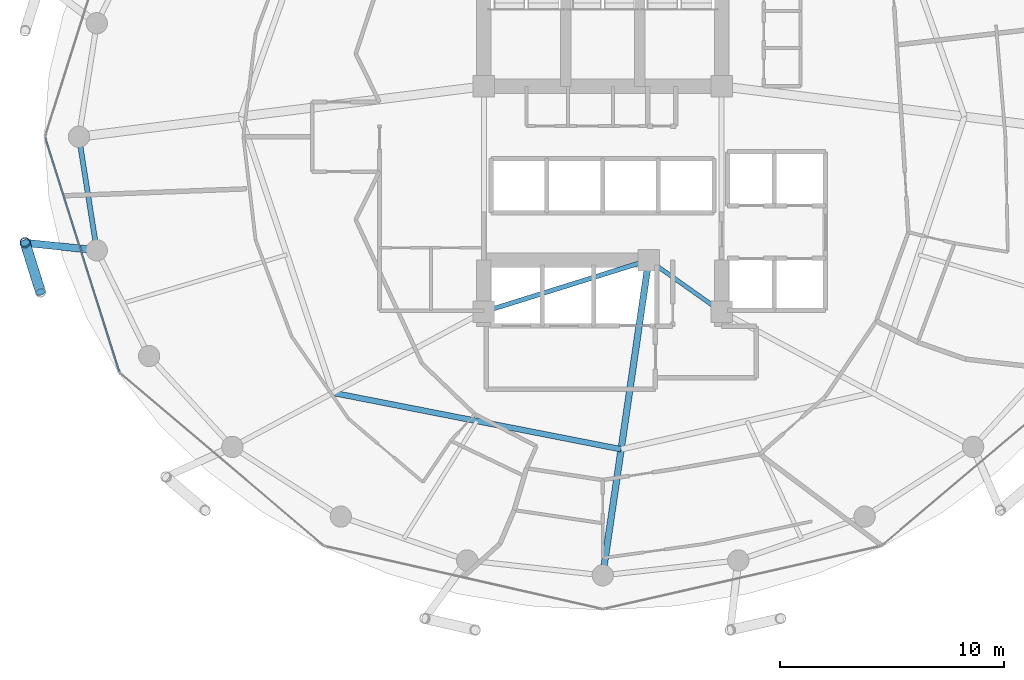
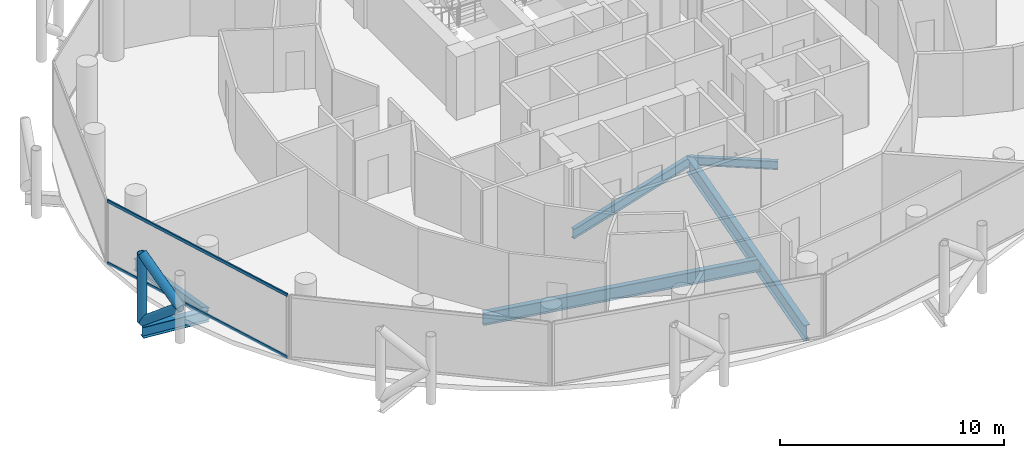
# One storey, part 5 of 26: 6 beams, 5 members, 1 element without a shape of its own.
"""IFC4 building model written with IfcOpenShell, lengths in metres."""

import ifcopenshell
import ifcopenshell.guid

model = None  # the IFC model being written
_history = None  # IfcOwnerHistory: only IFC2X3 demands one
_inside = {}  # id of a spatial element -> (the spatial element, [elements in it])
_under = {}  # id of a project, library or spatial element -> (it, [spatial elements below it])
_declared = {}  # id of a project -> (the project, [libraries it declares])
_typed = {}  # id of a type object -> (the type object, [elements of that type])
_made_of = {}  # id of a material, layer set ... -> (it, [elements and type objects made of it])


def new_model(schema):
    """Start an empty IFC model of exactly this schema.

    Asked for "IFC4X3", IfcOpenShell would pick the latest addendum, in which some entities
    have other attributes; the version numbers below select the first issue.
    IFC2X3 requires an IfcOwnerHistory on every rooted entity: one is made here for all.
    """
    global model, _history
    if schema == "IFC4X3":
        model = ifcopenshell.file(schema_version=(4, 3, 0, 0))
    else:
        model = ifcopenshell.file(schema=schema)
    _inside.clear()
    _under.clear()
    _declared.clear()
    _typed.clear()
    _made_of.clear()
    _history = None
    if model.schema == "IFC2X3":
        org = make("IfcOrganization", Name="unknown")
        user = make(
            "IfcPersonAndOrganization",
            ThePerson=make("IfcPerson", FamilyName="unknown"),
            TheOrganization=org,
        )
        app = make(
            "IfcApplication",
            ApplicationDeveloper=org,
            Version="unknown",
            ApplicationFullName="unknown",
            ApplicationIdentifier="unknown",
        )
        _history = make(
            "IfcOwnerHistory",
            OwningUser=user,
            OwningApplication=app,
            ChangeAction="ADDED",
            CreationDate=0,
        )
    return model


def make(cls, **values):
    """One entity of the class cls with the attributes given. An attribute that is None is left unset."""
    return model.create_entity(
        cls, **{name: value for name, value in values.items() if value is not None}
    )


def rooted(cls, **values):
    """An entity with a GlobalId (a new one), such as an element, a storey or a relation."""
    return make(cls, GlobalId=ifcopenshell.guid.new(), OwnerHistory=_history, **values)


def si_unit(unit_type, name, prefix=None):
    """IfcSIUnit, for example si_unit("LENGTHUNIT", "METRE", prefix="MILLI")."""
    return make("IfcSIUnit", UnitType=unit_type, Prefix=prefix, Name=name)


def assignment(units):
    """IfcUnitAssignment: the units of a project."""
    return None if units is None else make("IfcUnitAssignment", Units=units)


def point(xyz):
    """IfcCartesianPoint."""
    return None if xyz is None else make("IfcCartesianPoint", Coordinates=xyz)


def direction(xyz):
    """IfcDirection."""
    return None if xyz is None else make("IfcDirection", DirectionRatios=xyz)


def frame(location, z_axis=None, x_axis=None):
    """IfcAxis2Placement3D, a coordinate frame: its origin and axes. An axis left out is left unset."""
    return make(
        "IfcAxis2Placement3D",
        Location=point(location),
        Axis=direction(z_axis),
        RefDirection=direction(x_axis),
    )


def frame_2d(location, x_axis=None):
    """IfcAxis2Placement2D, a coordinate frame in the plane: its origin and x axis."""
    return make(
        "IfcAxis2Placement2D", Location=point(location), RefDirection=direction(x_axis)
    )


def origin():
    """The frame at (0, 0, 0) with its axes left unset."""
    return frame((0.0, 0.0, 0.0))


def origin_2d():
    """The frame at (0, 0) in the plane with its x axis left unset."""
    return frame_2d((0.0, 0.0))


def place(relative_to, where):
    """IfcLocalPlacement: puts the frame where relative to a parent placement (None: the world)."""
    return make(
        "IfcLocalPlacement", PlacementRelTo=relative_to, RelativePlacement=where
    )


def context(
    kind, dimensions, precision=None, world=None, true_north=None, identifier=None
):
    """IfcGeometricRepresentationContext, for example the 3D "Model" context."""
    return make(
        "IfcGeometricRepresentationContext",
        ContextIdentifier=identifier,
        ContextType=kind,
        CoordinateSpaceDimension=dimensions,
        Precision=precision,
        WorldCoordinateSystem=world,
        TrueNorth=true_north,
    )


def subcontext(parent, identifier, kind, view, scale=None):
    """IfcGeometricRepresentationSubContext, for example "Body" below "Model"."""
    return make(
        "IfcGeometricRepresentationSubContext",
        ContextIdentifier=identifier,
        ContextType=kind,
        ParentContext=parent,
        TargetScale=scale,
        TargetView=view,
    )


def project(units=None, contexts=None):
    """IfcProject with its units and contexts."""
    return rooted(
        "IfcProject",
        Name="project",
        RepresentationContexts=contexts,
        UnitsInContext=assignment(units),
    )


def spatial(cls, under=None, at=None, **own):
    """A site, building, storey or space (cls), placed at a placement, below another one or the project."""
    s = rooted(cls, ObjectPlacement=at, **own)
    if under is not None:
        _under.setdefault(under.id(), (under, []))[1].append(s)
    return s


def profile(cls, at=None, kind="AREA", **sizes):
    """A parametric profile (cls). Its sizes go by their IFC names, for example OverallWidth=200.0."""
    return make(cls, ProfileType=kind, Position=at, **sizes)


def hollow_rectangle(**sizes):
    """IfcRectangleHollowProfileDef."""
    return profile("IfcRectangleHollowProfileDef", **sizes)


def hollow_circle(**sizes):
    """IfcCircleHollowProfileDef."""
    return profile("IfcCircleHollowProfileDef", **sizes)


def i_section(**sizes):
    """IfcIShapeProfileDef."""
    return profile("IfcIShapeProfileDef", **sizes)


def extrude(swept, where, along, depth):
    """IfcExtrudedAreaSolid: the profile swept, set in the frame where, extruded along a direction by depth."""
    return make(
        "IfcExtrudedAreaSolid",
        SweptArea=swept,
        Position=where,
        ExtrudedDirection=direction(along),
        Depth=depth,
    )


def shape(context_of_items, identifier, shape_type, items):
    """IfcShapeRepresentation: the items that make up one representation, for example the "Body"."""
    return make(
        "IfcShapeRepresentation",
        ContextOfItems=context_of_items,
        RepresentationIdentifier=identifier,
        RepresentationType=shape_type,
        Items=items,
    )


def material(Name=None, Category=None):
    """IfcMaterial."""
    return make("IfcMaterial", Name=Name, Category=Category)


def layer(
    of_material, thickness, ventilated=None, Name=None, Category=None, Priority=None
):
    """IfcMaterialLayer: one layer of a wall or slab, of a material (None: an air gap)."""
    return make(
        "IfcMaterialLayer",
        Material=of_material,
        LayerThickness=thickness,
        IsVentilated=ventilated,
        Name=Name,
        Category=Category,
        Priority=Priority,
    )


def layer_set(layers, Name=None):
    """IfcMaterialLayerSet."""
    return make("IfcMaterialLayerSet", MaterialLayers=layers, LayerSetName=Name)


def material_profile(
    of_material, cross_section, Name=None, Category=None, Priority=None
):
    """IfcMaterialProfile: a cross section and its material."""
    return make(
        "IfcMaterialProfile",
        Name=Name,
        Material=of_material,
        Profile=cross_section,
        Priority=Priority,
        Category=Category,
    )


def profile_set(profiles, Name=None, composite=None):
    """IfcMaterialProfileSet."""
    return make(
        "IfcMaterialProfileSet",
        Name=Name,
        MaterialProfiles=profiles,
        CompositeProfile=composite,
    )


def made_of(thing, what):
    """Note that an element or type object is made of a material, layer set ...; save() writes the relation."""
    if what is not None:
        _made_of.setdefault(what.id(), (what, []))[1].append(thing)
    return thing


def type_object(cls, material=None, **own):
    """A type object (cls), such as IfcWallType, which elements share."""
    return made_of(rooted(cls, **own), material)


def element(
    cls,
    number,
    at=None,
    inside=None,
    cuts=None,
    type_object=None,
    material=None,
    context=None,
    identifier="Body",
    shape_type=None,
    held_by="IfcProductDefinitionShape",
    body=None,
    shapes=None,
    **own,
):
    """One element of the class cls, such as IfcWall. Its Tag is "e" and its number.

    at: its placement. inside: the storey or other place that contains it. cuts: it is an
    opening in that element (IfcRelVoidsElement). A single representation is given by context,
    identifier, shape_type and body (its items); several are given by shapes. held_by: the class
    of the entity that holds the representations. save() writes the other relations.
    """
    e = rooted(cls, Tag="e%d" % number, ObjectPlacement=at, **own)
    if body is not None:
        shapes = [shape(context, identifier, shape_type, body)]
    if shapes is not None:
        e.Representation = make(held_by, Representations=shapes)
    if inside is not None:
        _inside.setdefault(inside.id(), (inside, []))[1].append(e)
    if cuts is not None:
        rooted(
            "IfcRelVoidsElement", RelatingBuildingElement=cuts, RelatedOpeningElement=e
        )
    if type_object is not None:
        _typed.setdefault(type_object.id(), (type_object, []))[1].append(e)
    return made_of(e, material)


def aggregate(whole, parts):
    """IfcRelAggregates: a whole, such as a stair, and the parts it consists of."""
    return rooted("IfcRelAggregates", RelatingObject=whole, RelatedObjects=parts)


def save(model, path):
    """Write the relations noted so far, then the file.

    IfcRelAggregates (storeys below a building ...), IfcRelContainedInSpatialStructure (elements
    in a storey), IfcRelDefinesByType, IfcRelAssociatesMaterial and IfcRelDeclares: one each for
    every whole, place, type object, material and project.
    """
    for whole, parts in _under.values():
        aggregate(whole, parts)
    for where, things in _inside.values():
        rooted(
            "IfcRelContainedInSpatialStructure",
            RelatedElements=things,
            RelatingStructure=where,
        )
    for kind, things in _typed.values():
        rooted("IfcRelDefinesByType", RelatedObjects=things, RelatingType=kind)
    for what, things in _made_of.values():
        rooted("IfcRelAssociatesMaterial", RelatedObjects=things, RelatingMaterial=what)
    for by, libraries in _declared.values():
        rooted("IfcRelDeclares", RelatingContext=by, RelatedDefinitions=libraries)
    model.write(path)


model = new_model("IFC4")

# Units and contexts
model_context = context("Model", 3, precision=1e-05, world=origin(), true_north=direction((0.0, 1.0)))
body_context = subcontext(model_context, "Body", "Model", "MODEL_VIEW")
ifc_project = project(units=[si_unit("LENGTHUNIT", "METRE"), si_unit("AREAUNIT", "SQUARE_METRE"), si_unit("VOLUMEUNIT", "CUBIC_METRE"), si_unit("PLANEANGLEUNIT", "RADIAN"), si_unit("MASSUNIT", "GRAM", prefix="KILO")], contexts=[model_context])

# Site, building, storey
site_placement = place(None, origin())
site = spatial("IfcSite", under=ifc_project, at=site_placement, CompositionType="ELEMENT")
building_placement = place(site_placement, origin())
building = spatial("IfcBuilding", under=site, at=building_placement, Name="Nuhasar Tower", CompositionType="ELEMENT")
storey_placement = place(building_placement, frame((0.0, 0.0, 136.75)))
storey = spatial("IfcBuildingStorey", under=building, at=storey_placement, Name="L32", CompositionType="ELEMENT", Elevation=136.75)

# Beams
ifc_material_1 = material(Name="Steel S355", Category="steel")
ifc_material_profile_1 = material_profile(ifc_material_1, i_section(OverallWidth=0.25390625, OverallDepth=0.68408203125, WebThickness=0.012451171875, FlangeThickness=0.018798828125, at=origin_2d()), Name="W27X94")
ifc_profile_set_1 = profile_set([ifc_material_profile_1], Name="Steel S355")
beam_type_1 = type_object("IfcBeamType", Name="BM-INRING-W27X94", PredefinedType="BEAM", material=ifc_profile_set_1)
beam_1_placement = place(storey_placement, frame((26.972900390625, 15.385986328125, -0.592041015625), z_axis=(0.981359637088, -0.192180286956, 0.0), x_axis=(0.192180286956, 0.981359637088, 0.0)))
element("IfcBeam", 1, at=beam_1_placement, inside=storey, type_object=beam_type_1, Name="L32 Inner Header Beam 01", PredefinedType="BEAM", context=body_context, shape_type="SweptSolid", body=[
    extrude(i_section(OverallWidth=0.25390625, OverallDepth=0.68408203125, WebThickness=0.012451171875, FlangeThickness=0.018798828125, at=origin_2d()), origin(), (0.0, 0.0, 1.0), 13.09130859375),
])
ifc_material_profile_2 = material_profile(ifc_material_1, i_section(OverallWidth=0.2919921875, OverallDepth=0.85888671875, WebThickness=0.01708984375, FlangeThickness=0.031005859375, at=origin_2d()), Name="W33X169")
ifc_profile_set_2 = profile_set([ifc_material_profile_2], Name="Steel S355")
beam_type_2 = type_object("IfcBeamType", Name="BM-POD-W33X169", PredefinedType="BEAM", material=ifc_profile_set_2)
beam_2_placement = place(storey_placement, frame((41.050048828125, 21.300048828125, -0.678955078125), z_axis=(-0.144381604017, -0.989522082837, 0.0), x_axis=(0.989522082837, -0.144381604017, 0.0)))
element("IfcBeam", 2, at=beam_2_placement, inside=storey, type_object=beam_type_2, Name="L32 Radial Floor Girder 02", PredefinedType="BEAM", context=body_context, shape_type="SweptSolid", body=[
    extrude(i_section(OverallWidth=0.2919921875, OverallDepth=0.85888671875, WebThickness=0.01708984375, FlangeThickness=0.031005859375, at=origin_2d()), origin(), (0.0, 0.0, 1.0), 14.19873046875),
])
ifc_material_profile_3 = material_profile(ifc_material_1, i_section(OverallWidth=0.18994140625, OverallDepth=0.45703125, WebThickness=0.009033203125, FlangeThickness=0.014404296875, at=origin_2d()), Name="W18X50")
ifc_profile_set_3 = profile_set([ifc_material_profile_3], Name="Steel S355")
beam_type_3 = type_object("IfcBeamType", Name="BM-RAD-W18X50", PredefinedType="BEAM", material=ifc_profile_set_3)
beam_3_placement = place(storey_placement, frame((41.050048828125, 21.300048828125, -0.47802734375), z_axis=(0.816265428953, -0.577677028708, 0.0), x_axis=(0.577677028708, 0.816265428953, 0.0)))
element("IfcBeam", 3, at=beam_3_placement, inside=storey, type_object=beam_type_3, Name="L32 Core Ring Girder 2", PredefinedType="BEAM", context=body_context, shape_type="SweptSolid", body=[
    extrude(i_section(OverallWidth=0.18994140625, OverallDepth=0.45703125, WebThickness=0.009033203125, FlangeThickness=0.014404296875, at=origin_2d()), origin(), (0.0, 0.0, 1.0), 3.9814453125),
])
ifc_material_profile_4 = material_profile(ifc_material_1, i_section(OverallWidth=0.208984375, OverallDepth=0.532958984375, WebThickness=0.01025390625, FlangeThickness=0.015625, at=origin_2d()), Name="W21X62")
ifc_profile_set_4 = profile_set([ifc_material_profile_4], Name="Steel S355")
beam_type_4 = type_object("IfcBeamType", Name="BM-RAD-W21X62", PredefinedType="BEAM", material=ifc_profile_set_4)
beam_4_placement = place(storey_placement, frame((33.699951171875, 19.0, -0.51708984375), z_axis=(0.954363709454, 0.298646798205, 0.0), x_axis=(-0.298646798205, 0.954363709454, 0.0)))
element("IfcBeam", 4, at=beam_4_placement, inside=storey, type_object=beam_type_4, Name="L32 Core Ring Girder 1", PredefinedType="BEAM", context=body_context, shape_type="SweptSolid", body=[
    extrude(i_section(OverallWidth=0.208984375, OverallDepth=0.532958984375, WebThickness=0.01025390625, FlangeThickness=0.015625, at=origin_2d()), origin(), (0.0, 0.0, 1.0), 7.70166015625),
])
ifc_material_profile_5 = material_profile(ifc_material_1, i_section(OverallWidth=0.22998046875, OverallDepth=0.616943359375, WebThickness=0.01318359375, FlangeThickness=0.022216796875, at=origin_2d()), Name="W24X94")
ifc_profile_set_5 = profile_set([ifc_material_profile_5], Name="Steel S355")
beam_type_5 = type_object("IfcBeamType", Name="BM-RING-W24X94", PredefinedType="SPANDREL", material=ifc_profile_set_5)
beam_5_placement = place(storey_placement, frame((15.64990234375, 26.800048828125, -0.55908203125), z_axis=(0.155426543608, -0.987847452566, 0.0), x_axis=(0.987847452566, 0.155426543608, 0.0)))
element("IfcBeam", 5, at=beam_5_placement, inside=storey, type_object=beam_type_5, Name="L32 Perimeter Ring Spandrel 13", PredefinedType="SPANDREL", context=body_context, shape_type="SweptSolid", body=[
    extrude(i_section(OverallWidth=0.22998046875, OverallDepth=0.616943359375, WebThickness=0.01318359375, FlangeThickness=0.022216796875, at=origin_2d()), origin(), (0.0, 0.0, 1.0), 5.122314453125),
])
ifc_material_profile_6 = material_profile(ifc_material_1, i_section(OverallWidth=0.323974609375, OverallDepth=0.611083984375, WebThickness=0.0126953125, FlangeThickness=0.01904296875, at=origin_2d()), Name="W24X104")
ifc_profile_set_6 = profile_set([ifc_material_profile_6], Name="Steel S355")
beam_type_6 = type_object("IfcBeamType", Name="BM-TIE-W24X104", PredefinedType="BEAM", material=ifc_profile_set_6)
beam_6_placement = place(storey_placement, frame((16.446044921875, 21.739990234375, -0.554931640625), z_axis=(-0.994577694483, 0.103996200111, 0.0), x_axis=(-0.103996200111, -0.994577694483, 0.0)))
element("IfcBeam", 6, at=beam_6_placement, inside=storey, type_object=beam_type_6, Name="L32 Exoskeleton Node Tie Beam 07", PredefinedType="BEAM", context=body_context, shape_type="SweptSolid", body=[
    extrude(i_section(OverallWidth=0.323974609375, OverallDepth=0.611083984375, WebThickness=0.0126953125, FlangeThickness=0.01904296875, at=origin_2d()), origin(), (0.0, 0.0, 1.0), 3.21142578125),
])

# Curtain wall, members
ifc_material_2 = material(Name="Aluminium 6063-T6", Category="aluminium")
ifc_layer = layer(ifc_material_2, 0.199951171875)
ifc_layer_set = layer_set([ifc_layer], Name="Aluminium 6063-T6")
curtain_wall_type = type_object("IfcCurtainWallType", Name="CW-Z2-HTL", PredefinedType="NOTDEFINED", material=ifc_layer_set)
curtain_wall_placement = place(storey_placement, origin())
curtain_wall = element("IfcCurtainWall", 7, at=curtain_wall_placement, inside=storey, type_object=curtain_wall_type, Name="L32 Unitised Curtain Wall 07", PredefinedType="NOTDEFINED")
ifc_material_profile_7 = material_profile(ifc_material_2, hollow_rectangle(XDim=0.070068359375, YDim=0.159912109375, WallThickness=0.00439453125, at=origin_2d()), Name="CWT-3")
ifc_profile_set_7 = profile_set([ifc_material_profile_7], Name="Aluminium 6063-T6")
member_type_1 = type_object("IfcMemberType", Name="CW-TRN-S3", PredefinedType="USERDEFINED", material=ifc_profile_set_7)
member_1_placement = place(storey_placement, frame((14.1611328125, 26.733154296875, 0.034912109375), z_axis=(0.301608163352, -0.953431967053, 0.0), x_axis=(0.953431967053, 0.301608163352, 0.0)))
member_1 = element("IfcMember", 8, at=member_1_placement, type_object=member_type_1, Name="CW-Z2 transom 1.1", ObjectType="TRANSOM", PredefinedType="USERDEFINED", context=body_context, shape_type="SweptSolid", body=[
    extrude(hollow_rectangle(XDim=0.070068359375, YDim=0.159912109375, WallThickness=0.00439453125, at=origin_2d()), origin(), (0.0, 0.0, 1.0), 10.904296875),
])
member_2_placement = place(storey_placement, frame((14.1611328125, 26.733154296875, 3.4150390625), z_axis=(0.301608163352, -0.953431967053, 0.0), x_axis=(0.953431967053, 0.301608163352, 0.0)))
member_2 = element("IfcMember", 9, at=member_2_placement, type_object=member_type_1, Name="CW-Z2 transom 1.2", ObjectType="TRANSOM", PredefinedType="USERDEFINED", context=body_context, shape_type="SweptSolid", body=[
    extrude(hollow_rectangle(XDim=0.070068359375, YDim=0.159912109375, WallThickness=0.00439453125, at=origin_2d()), origin(), (0.0, 0.0, 1.0), 10.904296875),
])
aggregate(curtain_wall, [member_1, member_2])

# Members
ifc_material_3 = material(Name="Steel S460", Category="steel")
ifc_material_profile_8 = material_profile(ifc_material_3, hollow_circle(Radius=0.228515625, WallThickness=0.022216796875, at=origin_2d()), Name="HSS457X22.2")
ifc_profile_set_8 = profile_set([ifc_material_profile_8], Name="Steel S460")
member_type_2 = type_object("IfcMemberType", Name="EXO-BRONZE-457", PredefinedType="BRACE", material=ifc_profile_set_8)
member_3_placement = place(storey_placement, frame((13.251953125, 22.073974609375, 0.0), z_axis=(0.0, 0.0, 1.0), x_axis=(1.0, 0.0, 0.0)))
element("IfcMember", 10, at=member_3_placement, inside=storey, type_object=member_type_2, Name="L32 Exoskeleton Chord Column EC-07A", PredefinedType="BRACE", context=body_context, shape_type="SweptSolid", body=[
    extrude(hollow_circle(Radius=0.228515625, WallThickness=0.022216796875, at=origin_2d()), origin(), (0.0, 0.0, 1.0), 3.699951171875),
])
member_4_placement = place(storey_placement, frame((13.251953125, 22.073974609375, 0.0), z_axis=(0.233055548538, -0.743577869731, 0.626719285599), x_axis=(0.954228474306, 0.29907861646, 0.0)))
element("IfcMember", 11, at=member_4_placement, inside=storey, type_object=member_type_2, Name="L32 Bronze Diagrid Brace W1-07", PredefinedType="BRACE", context=body_context, shape_type="SweptSolid", body=[
    extrude(hollow_circle(Radius=0.228515625, WallThickness=0.022216796875, at=origin_2d()), origin(), (0.0, 0.0, 1.0), 2.9521484375),
])
member_5_placement = place(storey_placement, frame((13.93994140625, 19.87890625, 1.85009765625), z_axis=(-0.233067628236, 0.74361641074, 0.626669062861), x_axis=(-0.954228474306, -0.29907861646, 0.0)))
element("IfcMember", 12, at=member_5_placement, inside=storey, type_object=member_type_2, Name="L32 Bronze Diagrid Brace W2-07", PredefinedType="BRACE", context=body_context, shape_type="SweptSolid", body=[
    extrude(hollow_circle(Radius=0.228515625, WallThickness=0.022216796875, at=origin_2d()), origin(), (0.0, 0.0, 1.0), 2.951904296875),
])

save(model, "model.ifc")
